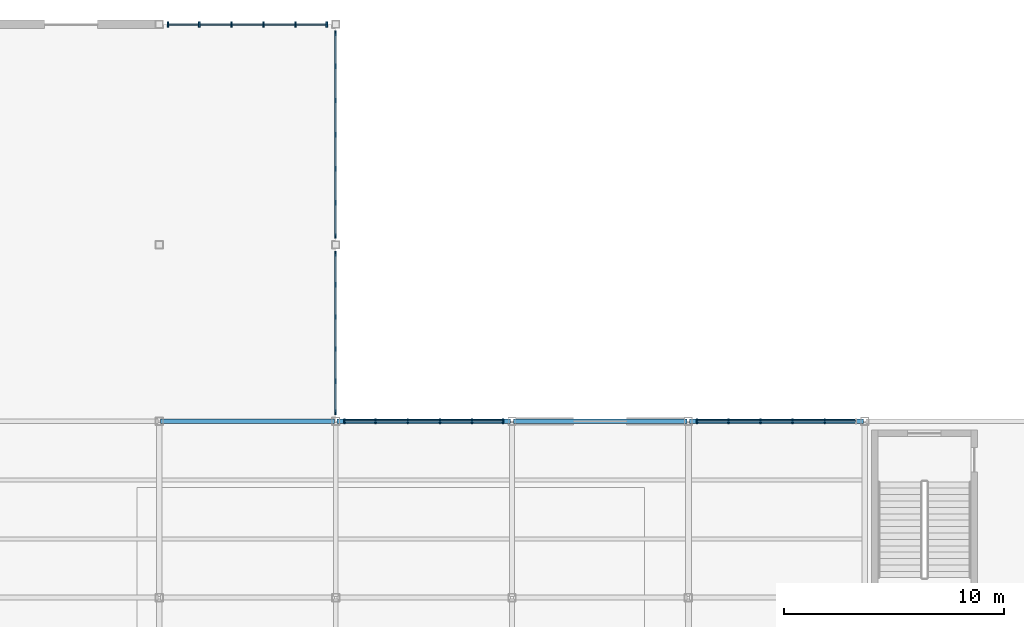
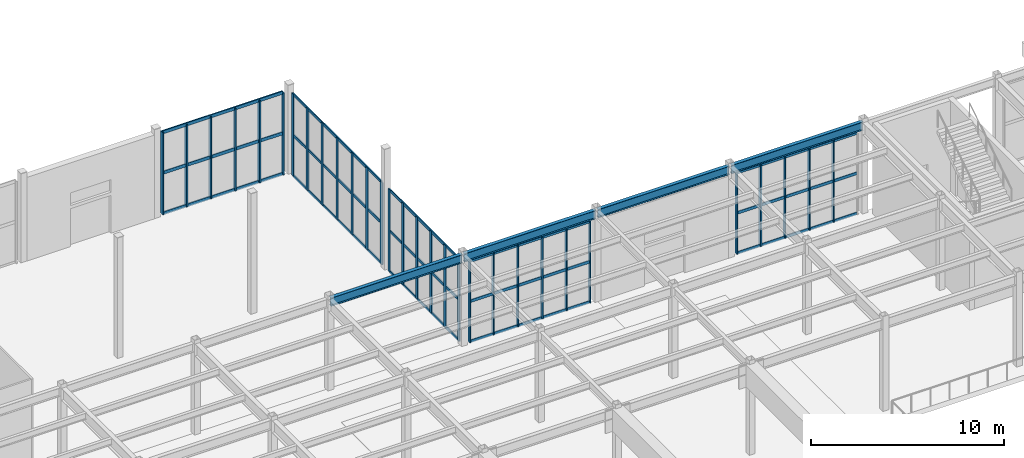
# One storey, part 41 of 82: 45 members, 4 beams, 5 elements without a shape of their own.
"""IFC4 building model written with IfcOpenShell, lengths in metres."""

from ifc_helpers import new_model, si_unit, direction, frame, origin, origin_2d, place, context, subcontext, project, spatial, rectangle, i_section, extrude, material, material_profile, profile_set, type_object, element, aggregate, save


model = new_model("IFC4")

# Units and contexts
model_context = context("Model", 3, precision=1e-05, world=origin(), true_north=direction((0.0, 1.0)))
body_context = subcontext(model_context, "Body", "Model", "MODEL_VIEW")
ifc_project = project(units=[si_unit("LENGTHUNIT", "METRE"), si_unit("AREAUNIT", "SQUARE_METRE"), si_unit("VOLUMEUNIT", "CUBIC_METRE"), si_unit("PLANEANGLEUNIT", "RADIAN"), si_unit("MASSUNIT", "GRAM", prefix="KILO")], contexts=[model_context])

# Site, building, storey
site_placement = place(None, origin())
site = spatial("IfcSite", under=ifc_project, at=site_placement, CompositionType="ELEMENT")
building_placement = place(site_placement, origin())
building = spatial("IfcBuilding", under=site, at=building_placement, Name="Drelvath Fold Interchange", CompositionType="ELEMENT")
storey_placement = place(building_placement, origin())
storey = spatial("IfcBuildingStorey", under=building, at=storey_placement, Name="L00", CompositionType="ELEMENT", Elevation=0.0)

# Beams
ifc_material_1 = material(Name="Steel ASTM A992 Grade 50", Category="steel")
ifc_material_profile_1 = material_profile(ifc_material_1, i_section(OverallWidth=0.2099609375, OverallDepth=0.537109375, WebThickness=0.010986328125, FlangeThickness=0.017333984375, at=origin_2d()), Name="W21X68")
ifc_profile_set_1 = profile_set([ifc_material_profile_1], Name="Steel ASTM A992 Grade 50")
beam_type = type_object("IfcBeamType", Name="BM-W21X68", PredefinedType="SPANDREL", material=ifc_profile_set_1)
for number, where, z_axis, x_axis, name in (
    (1, (36.06005859375, 99.0, 5.490966796875), (1.0, 0.0, 0.0), (0.0, 1.0, 0.0), "L00 Primary X girder BM-W21X68"),
    (2, (44.06005859375, 99.0, 5.490966796875), (1.0, 0.0, 0.0), (0.0, 1.0, 0.0), "L00 Primary X girder BM-W21X68"),
    (3, (52.06005859375, 99.0, 5.490966796875), (1.0, 0.0, 0.0), (0.0, 1.0, 0.0), "L00 Primary X girder BM-W21X68"),
    (4, (60.06005859375, 99.0, 5.490966796875), (1.0, 0.0, 0.0), (0.0, 1.0, 0.0), "L00 Primary X girder BM-W21X68"),
):
    element("IfcBeam", number, at=place(storey_placement, frame(where, z_axis=z_axis, x_axis=x_axis)), inside=storey, type_object=beam_type, Name=name, PredefinedType="SPANDREL", context=body_context, shape_type="SweptSolid", body=[
        extrude(i_section(OverallWidth=0.2099609375, OverallDepth=0.537109375, WebThickness=0.010986328125, FlangeThickness=0.017333984375, at=origin_2d()), origin(), (0.0, 0.0, 1.0), 7.8798828125),
    ])

# Curtain wall, members
ifc_material_2 = material(Name="Anodized Aluminium 6063-T6", Category="aluminium")
curtain_wall_type_1 = type_object("IfcCurtainWallType", Name="CW-CON-600", PredefinedType="USERDEFINED", material=ifc_material_2)
curtain_wall_1_placement = place(storey_placement, origin())
curtain_wall_1 = element("IfcCurtainWall", 5, at=curtain_wall_1_placement, inside=storey, type_object=curtain_wall_type_1, Name="Curtain wall CW-V1NE-L00-0", ObjectType="UNITISED CURTAIN WALL", PredefinedType="USERDEFINED")
ifc_material_profile_2 = material_profile(ifc_material_2, rectangle(XDim=0.06494140625, YDim=0.219970703125, at=origin_2d()), Name="AL-M 65x220")
ifc_profile_set_2 = profile_set([ifc_material_profile_2], Name="Anodized Aluminium 6063-T6")
member_type_1 = type_object("IfcMemberType", Name="ML-220", PredefinedType="MULLION", material=ifc_profile_set_2)
member_1_placement = place(storey_placement, frame((44.0, 99.39990234375, 0.0), z_axis=(0.0, 0.0, 1.0), x_axis=(1.0, 0.0, 0.0)))
member_1 = element("IfcMember", 6, at=member_1_placement, type_object=member_type_1, Name="CW-V1NE-L00-0 mullion 0", PredefinedType="MULLION", context=body_context, shape_type="SweptSolid", body=[
    extrude(rectangle(XDim=0.06494140625, YDim=0.219970703125, at=origin_2d()), origin(), (0.0, 0.0, 1.0), 5.199951171875),
])
member_2_placement = place(storey_placement, frame((44.0, 100.81591796875, 0.0), z_axis=(0.0, 0.0, 1.0), x_axis=(1.0, 0.0, 0.0)))
member_2 = element("IfcMember", 7, at=member_2_placement, type_object=member_type_1, Name="CW-V1NE-L00-0 mullion 1", PredefinedType="MULLION", context=body_context, shape_type="SweptSolid", body=[
    extrude(rectangle(XDim=0.06494140625, YDim=0.219970703125, at=origin_2d()), origin(), (0.0, 0.0, 1.0), 5.199951171875),
])
member_3_placement = place(storey_placement, frame((44.0, 102.27197265625, 0.0), z_axis=(0.0, 0.0, 1.0), x_axis=(1.0, 0.0, 0.0)))
member_3 = element("IfcMember", 8, at=member_3_placement, type_object=member_type_1, Name="CW-V1NE-L00-0 mullion 2", PredefinedType="MULLION", context=body_context, shape_type="SweptSolid", body=[
    extrude(rectangle(XDim=0.06494140625, YDim=0.219970703125, at=origin_2d()), origin(), (0.0, 0.0, 1.0), 5.199951171875),
])
member_4_placement = place(storey_placement, frame((44.0, 103.72802734375, 0.0), z_axis=(0.0, 0.0, 1.0), x_axis=(1.0, 0.0, 0.0)))
member_4 = element("IfcMember", 9, at=member_4_placement, type_object=member_type_1, Name="CW-V1NE-L00-0 mullion 3", PredefinedType="MULLION", context=body_context, shape_type="SweptSolid", body=[
    extrude(rectangle(XDim=0.06494140625, YDim=0.219970703125, at=origin_2d()), origin(), (0.0, 0.0, 1.0), 5.199951171875),
])
member_5_placement = place(storey_placement, frame((44.0, 105.18408203125, 0.0), z_axis=(0.0, 0.0, 1.0), x_axis=(1.0, 0.0, 0.0)))
member_5 = element("IfcMember", 10, at=member_5_placement, type_object=member_type_1, Name="CW-V1NE-L00-0 mullion 4", PredefinedType="MULLION", context=body_context, shape_type="SweptSolid", body=[
    extrude(rectangle(XDim=0.06494140625, YDim=0.219970703125, at=origin_2d()), origin(), (0.0, 0.0, 1.0), 5.199951171875),
])
member_6_placement = place(storey_placement, frame((44.0, 106.60009765625, 0.0), z_axis=(0.0, 0.0, 1.0), x_axis=(1.0, 0.0, 0.0)))
member_6 = element("IfcMember", 11, at=member_6_placement, type_object=member_type_1, Name="CW-V1NE-L00-0 mullion 5", PredefinedType="MULLION", context=body_context, shape_type="SweptSolid", body=[
    extrude(rectangle(XDim=0.06494140625, YDim=0.219970703125, at=origin_2d()), origin(), (0.0, 0.0, 1.0), 5.199951171875),
])

curtain_wall_type_2 = type_object("IfcCurtainWallType", Name="CW-CON-N10", PredefinedType="USERDEFINED", material=ifc_material_2)
curtain_wall_2_placement = place(storey_placement, origin())
curtain_wall_2 = element("IfcCurtainWall", 12, at=curtain_wall_2_placement, inside=storey, type_object=curtain_wall_type_2, Name="Curtain wall CW-V1NE-L00-1", ObjectType="UNITISED CURTAIN WALL", PredefinedType="USERDEFINED")
member_7_placement = place(storey_placement, frame((44.0, 107.39990234375, 0.0), z_axis=(0.0, 0.0, 1.0), x_axis=(1.0, 0.0, 0.0)))
member_7 = element("IfcMember", 13, at=member_7_placement, type_object=member_type_1, Name="CW-V1NE-L00-1 mullion 0", PredefinedType="MULLION", context=body_context, shape_type="SweptSolid", body=[
    extrude(rectangle(XDim=0.06494140625, YDim=0.219970703125, at=origin_2d()), origin(), (0.0, 0.0, 1.0), 5.199951171875),
])
member_8_placement = place(storey_placement, frame((44.0, 108.906982421875, 0.0), z_axis=(0.0, 0.0, 1.0), x_axis=(1.0, 0.0, 0.0)))
member_8 = element("IfcMember", 14, at=member_8_placement, type_object=member_type_1, Name="CW-V1NE-L00-1 mullion 1", PredefinedType="MULLION", context=body_context, shape_type="SweptSolid", body=[
    extrude(rectangle(XDim=0.06494140625, YDim=0.219970703125, at=origin_2d()), origin(), (0.0, 0.0, 1.0), 5.199951171875),
])
member_9_placement = place(storey_placement, frame((44.0, 110.452880859375, 0.0), z_axis=(0.0, 0.0, 1.0), x_axis=(1.0, 0.0, 0.0)))
member_9 = element("IfcMember", 15, at=member_9_placement, type_object=member_type_1, Name="CW-V1NE-L00-1 mullion 2", PredefinedType="MULLION", context=body_context, shape_type="SweptSolid", body=[
    extrude(rectangle(XDim=0.06494140625, YDim=0.219970703125, at=origin_2d()), origin(), (0.0, 0.0, 1.0), 5.199951171875),
])
member_10_placement = place(storey_placement, frame((44.0, 112.0, 0.0), z_axis=(0.0, 0.0, 1.0), x_axis=(1.0, 0.0, 0.0)))
member_10 = element("IfcMember", 16, at=member_10_placement, type_object=member_type_1, Name="CW-V1NE-L00-1 mullion 3", PredefinedType="MULLION", context=body_context, shape_type="SweptSolid", body=[
    extrude(rectangle(XDim=0.06494140625, YDim=0.219970703125, at=origin_2d()), origin(), (0.0, 0.0, 1.0), 5.199951171875),
])
member_11_placement = place(storey_placement, frame((44.0, 113.547119140625, 0.0), z_axis=(0.0, 0.0, 1.0), x_axis=(1.0, 0.0, 0.0)))
member_11 = element("IfcMember", 17, at=member_11_placement, type_object=member_type_1, Name="CW-V1NE-L00-1 mullion 4", PredefinedType="MULLION", context=body_context, shape_type="SweptSolid", body=[
    extrude(rectangle(XDim=0.06494140625, YDim=0.219970703125, at=origin_2d()), origin(), (0.0, 0.0, 1.0), 5.199951171875),
])
member_12_placement = place(storey_placement, frame((44.0, 115.093017578125, 0.0), z_axis=(0.0, 0.0, 1.0), x_axis=(1.0, 0.0, 0.0)))
member_12 = element("IfcMember", 18, at=member_12_placement, type_object=member_type_1, Name="CW-V1NE-L00-1 mullion 5", PredefinedType="MULLION", context=body_context, shape_type="SweptSolid", body=[
    extrude(rectangle(XDim=0.06494140625, YDim=0.219970703125, at=origin_2d()), origin(), (0.0, 0.0, 1.0), 5.199951171875),
])
member_13_placement = place(storey_placement, frame((44.0, 116.60009765625, 0.0), z_axis=(0.0, 0.0, 1.0), x_axis=(1.0, 0.0, 0.0)))
member_13 = element("IfcMember", 19, at=member_13_placement, type_object=member_type_1, Name="CW-V1NE-L00-1 mullion 6", PredefinedType="MULLION", context=body_context, shape_type="SweptSolid", body=[
    extrude(rectangle(XDim=0.06494140625, YDim=0.219970703125, at=origin_2d()), origin(), (0.0, 0.0, 1.0), 5.199951171875),
])

curtain_wall_3_placement = place(storey_placement, origin())
curtain_wall_3 = element("IfcCurtainWall", 20, at=curtain_wall_3_placement, inside=storey, type_object=curtain_wall_type_1, Name="Curtain wall CW-V1-L00-N44", ObjectType="UNITISED CURTAIN WALL", PredefinedType="USERDEFINED")
member_14_placement = place(storey_placement, frame((44.39990234375, 99.0, 0.0), z_axis=(0.0, 0.0, 1.0), x_axis=(1.0, 0.0, 0.0)))
member_14 = element("IfcMember", 21, at=member_14_placement, type_object=member_type_1, Name="CW-V1-L00-N44 mullion 0", PredefinedType="MULLION", context=body_context, shape_type="SweptSolid", body=[
    extrude(rectangle(XDim=0.06494140625, YDim=0.219970703125, at=origin_2d()), origin(), (0.0, 0.0, 1.0), 5.14990234375),
])
member_15_placement = place(storey_placement, frame((45.81591796875, 99.0, 0.0), z_axis=(0.0, 0.0, 1.0), x_axis=(1.0, 0.0, 0.0)))
member_15 = element("IfcMember", 22, at=member_15_placement, type_object=member_type_1, Name="CW-V1-L00-N44 mullion 1", PredefinedType="MULLION", context=body_context, shape_type="SweptSolid", body=[
    extrude(rectangle(XDim=0.06494140625, YDim=0.219970703125, at=origin_2d()), origin(), (0.0, 0.0, 1.0), 5.14990234375),
])
member_16_placement = place(storey_placement, frame((47.27197265625, 99.0, 0.0), z_axis=(0.0, 0.0, 1.0), x_axis=(1.0, 0.0, 0.0)))
member_16 = element("IfcMember", 23, at=member_16_placement, type_object=member_type_1, Name="CW-V1-L00-N44 mullion 2", PredefinedType="MULLION", context=body_context, shape_type="SweptSolid", body=[
    extrude(rectangle(XDim=0.06494140625, YDim=0.219970703125, at=origin_2d()), origin(), (0.0, 0.0, 1.0), 5.14990234375),
])
member_17_placement = place(storey_placement, frame((48.72802734375, 99.0, 0.0), z_axis=(0.0, 0.0, 1.0), x_axis=(1.0, 0.0, 0.0)))
member_17 = element("IfcMember", 24, at=member_17_placement, type_object=member_type_1, Name="CW-V1-L00-N44 mullion 3", PredefinedType="MULLION", context=body_context, shape_type="SweptSolid", body=[
    extrude(rectangle(XDim=0.06494140625, YDim=0.219970703125, at=origin_2d()), origin(), (0.0, 0.0, 1.0), 5.14990234375),
])
member_18_placement = place(storey_placement, frame((50.18408203125, 99.0, 0.0), z_axis=(0.0, 0.0, 1.0), x_axis=(1.0, 0.0, 0.0)))
member_18 = element("IfcMember", 25, at=member_18_placement, type_object=member_type_1, Name="CW-V1-L00-N44 mullion 4", PredefinedType="MULLION", context=body_context, shape_type="SweptSolid", body=[
    extrude(rectangle(XDim=0.06494140625, YDim=0.219970703125, at=origin_2d()), origin(), (0.0, 0.0, 1.0), 5.14990234375),
])
member_19_placement = place(storey_placement, frame((51.60009765625, 99.0, 0.0), z_axis=(0.0, 0.0, 1.0), x_axis=(1.0, 0.0, 0.0)))
member_19 = element("IfcMember", 26, at=member_19_placement, type_object=member_type_1, Name="CW-V1-L00-N44 mullion 5", PredefinedType="MULLION", context=body_context, shape_type="SweptSolid", body=[
    extrude(rectangle(XDim=0.06494140625, YDim=0.219970703125, at=origin_2d()), origin(), (0.0, 0.0, 1.0), 5.14990234375),
])

curtain_wall_4_placement = place(storey_placement, origin())
curtain_wall_4 = element("IfcCurtainWall", 27, at=curtain_wall_4_placement, inside=storey, type_object=curtain_wall_type_1, Name="Curtain wall CW-V1-L00-N60", ObjectType="UNITISED CURTAIN WALL", PredefinedType="USERDEFINED")
member_20_placement = place(storey_placement, frame((60.39990234375, 99.0, 0.0), z_axis=(0.0, 0.0, 1.0), x_axis=(1.0, 0.0, 0.0)))
member_20 = element("IfcMember", 28, at=member_20_placement, type_object=member_type_1, Name="CW-V1-L00-N60 mullion 0", PredefinedType="MULLION", context=body_context, shape_type="SweptSolid", body=[
    extrude(rectangle(XDim=0.06494140625, YDim=0.219970703125, at=origin_2d()), origin(), (0.0, 0.0, 1.0), 5.14990234375),
])
member_21_placement = place(storey_placement, frame((61.81591796875, 99.0, 0.0), z_axis=(0.0, 0.0, 1.0), x_axis=(1.0, 0.0, 0.0)))
member_21 = element("IfcMember", 29, at=member_21_placement, type_object=member_type_1, Name="CW-V1-L00-N60 mullion 1", PredefinedType="MULLION", context=body_context, shape_type="SweptSolid", body=[
    extrude(rectangle(XDim=0.06494140625, YDim=0.219970703125, at=origin_2d()), origin(), (0.0, 0.0, 1.0), 5.14990234375),
])
member_22_placement = place(storey_placement, frame((63.27197265625, 99.0, 0.0), z_axis=(0.0, 0.0, 1.0), x_axis=(1.0, 0.0, 0.0)))
member_22 = element("IfcMember", 30, at=member_22_placement, type_object=member_type_1, Name="CW-V1-L00-N60 mullion 2", PredefinedType="MULLION", context=body_context, shape_type="SweptSolid", body=[
    extrude(rectangle(XDim=0.06494140625, YDim=0.219970703125, at=origin_2d()), origin(), (0.0, 0.0, 1.0), 5.14990234375),
])
member_23_placement = place(storey_placement, frame((64.72802734375, 99.0, 0.0), z_axis=(0.0, 0.0, 1.0), x_axis=(1.0, 0.0, 0.0)))
member_23 = element("IfcMember", 31, at=member_23_placement, type_object=member_type_1, Name="CW-V1-L00-N60 mullion 3", PredefinedType="MULLION", context=body_context, shape_type="SweptSolid", body=[
    extrude(rectangle(XDim=0.06494140625, YDim=0.219970703125, at=origin_2d()), origin(), (0.0, 0.0, 1.0), 5.14990234375),
])
member_24_placement = place(storey_placement, frame((66.18408203125, 99.0, 0.0), z_axis=(0.0, 0.0, 1.0), x_axis=(1.0, 0.0, 0.0)))
member_24 = element("IfcMember", 32, at=member_24_placement, type_object=member_type_1, Name="CW-V1-L00-N60 mullion 4", PredefinedType="MULLION", context=body_context, shape_type="SweptSolid", body=[
    extrude(rectangle(XDim=0.06494140625, YDim=0.219970703125, at=origin_2d()), origin(), (0.0, 0.0, 1.0), 5.14990234375),
])

curtain_wall_5_placement = place(storey_placement, origin())
curtain_wall_5 = element("IfcCurtainWall", 33, at=curtain_wall_5_placement, inside=storey, type_object=curtain_wall_type_1, Name="Curtain wall CW-V1N-L00-04", ObjectType="UNITISED CURTAIN WALL", PredefinedType="USERDEFINED")
ifc_material_profile_3 = material_profile(ifc_material_2, rectangle(XDim=0.074951171875, YDim=0.25, at=origin_2d()), Name="AL-M 75x250")
ifc_profile_set_3 = profile_set([ifc_material_profile_3], Name="Anodized Aluminium 6063-T6")
member_type_2 = type_object("IfcMemberType", Name="ML-250", PredefinedType="MULLION", material=ifc_profile_set_3)
member_25_placement = place(storey_placement, frame((36.39990234375, 117.0, 0.0), z_axis=(0.0, 0.0, 1.0), x_axis=(1.0, 0.0, 0.0)))
member_25 = element("IfcMember", 34, at=member_25_placement, type_object=member_type_2, Name="CW-V1N-L00-04 mullion 0", PredefinedType="MULLION", context=body_context, shape_type="SweptSolid", body=[
    extrude(rectangle(XDim=0.074951171875, YDim=0.25, at=origin_2d()), origin(), (0.0, 0.0, 1.0), 5.199951171875),
])
member_26_placement = place(storey_placement, frame((37.81591796875, 117.0, 0.0), z_axis=(0.0, 0.0, 1.0), x_axis=(1.0, 0.0, 0.0)))
member_26 = element("IfcMember", 35, at=member_26_placement, type_object=member_type_2, Name="CW-V1N-L00-04 mullion 1", PredefinedType="MULLION", context=body_context, shape_type="SweptSolid", body=[
    extrude(rectangle(XDim=0.074951171875, YDim=0.25, at=origin_2d()), origin(), (0.0, 0.0, 1.0), 5.199951171875),
])
member_27_placement = place(storey_placement, frame((39.27197265625, 117.0, 0.0), z_axis=(0.0, 0.0, 1.0), x_axis=(1.0, 0.0, 0.0)))
member_27 = element("IfcMember", 36, at=member_27_placement, type_object=member_type_2, Name="CW-V1N-L00-04 mullion 2", PredefinedType="MULLION", context=body_context, shape_type="SweptSolid", body=[
    extrude(rectangle(XDim=0.074951171875, YDim=0.25, at=origin_2d()), origin(), (0.0, 0.0, 1.0), 5.199951171875),
])
member_28_placement = place(storey_placement, frame((40.72802734375, 117.0, 0.0), z_axis=(0.0, 0.0, 1.0), x_axis=(1.0, 0.0, 0.0)))
member_28 = element("IfcMember", 37, at=member_28_placement, type_object=member_type_2, Name="CW-V1N-L00-04 mullion 3", PredefinedType="MULLION", context=body_context, shape_type="SweptSolid", body=[
    extrude(rectangle(XDim=0.074951171875, YDim=0.25, at=origin_2d()), origin(), (0.0, 0.0, 1.0), 5.199951171875),
])
member_29_placement = place(storey_placement, frame((42.18408203125, 117.0, 0.0), z_axis=(0.0, 0.0, 1.0), x_axis=(1.0, 0.0, 0.0)))
member_29 = element("IfcMember", 38, at=member_29_placement, type_object=member_type_2, Name="CW-V1N-L00-04 mullion 4", PredefinedType="MULLION", context=body_context, shape_type="SweptSolid", body=[
    extrude(rectangle(XDim=0.074951171875, YDim=0.25, at=origin_2d()), origin(), (0.0, 0.0, 1.0), 5.199951171875),
])
member_30_placement = place(storey_placement, frame((43.60009765625, 117.0, 0.0), z_axis=(0.0, 0.0, 1.0), x_axis=(1.0, 0.0, 0.0)))
member_30 = element("IfcMember", 39, at=member_30_placement, type_object=member_type_2, Name="CW-V1N-L00-04 mullion 5", PredefinedType="MULLION", context=body_context, shape_type="SweptSolid", body=[
    extrude(rectangle(XDim=0.074951171875, YDim=0.25, at=origin_2d()), origin(), (0.0, 0.0, 1.0), 5.199951171875),
])

# Member
ifc_material_profile_4 = material_profile(ifc_material_2, rectangle(XDim=0.06494140625, YDim=0.179931640625, at=origin_2d()), Name="AL-T 65x180")
ifc_profile_set_4 = profile_set([ifc_material_profile_4], Name="Anodized Aluminium 6063-T6")
member_type_3 = type_object("IfcMemberType", Name="TR-180", PredefinedType="USERDEFINED", material=ifc_profile_set_4)
member_31_placement = place(storey_placement, frame((44.0, 99.39990234375, 0.030029296875), z_axis=(0.0, 1.0, 0.0), x_axis=(-1.0, 0.0, 0.0)))
member_31 = element("IfcMember", 40, at=member_31_placement, type_object=member_type_3, Name="CW-V1NE-L00-0 transom 0", ObjectType="TRANSOM", PredefinedType="USERDEFINED", context=body_context, shape_type="SweptSolid", body=[
    extrude(rectangle(XDim=0.06494140625, YDim=0.179931640625, at=origin_2d()), origin(), (0.0, 0.0, 1.0), 7.2001953125),
])

member_32_placement = place(storey_placement, frame((44.0, 99.39990234375, 2.60009765625), z_axis=(0.0, 1.0, 0.0), x_axis=(-1.0, 0.0, 0.0)))
member_32 = element("IfcMember", 41, at=member_32_placement, type_object=member_type_3, Name="CW-V1NE-L00-0 transom 1", ObjectType="TRANSOM", PredefinedType="USERDEFINED", context=body_context, shape_type="SweptSolid", body=[
    extrude(rectangle(XDim=0.06494140625, YDim=0.179931640625, at=origin_2d()), origin(), (0.0, 0.0, 1.0), 7.2001953125),
])

member_33_placement = place(storey_placement, frame((44.0, 99.39990234375, 5.169921875), z_axis=(0.0, 1.0, 0.0), x_axis=(-1.0, 0.0, 0.0)))
member_33 = element("IfcMember", 42, at=member_33_placement, type_object=member_type_3, Name="CW-V1NE-L00-0 transom 2", ObjectType="TRANSOM", PredefinedType="USERDEFINED", context=body_context, shape_type="SweptSolid", body=[
    extrude(rectangle(XDim=0.06494140625, YDim=0.179931640625, at=origin_2d()), origin(), (0.0, 0.0, 1.0), 7.2001953125),
])

aggregate(curtain_wall_1, [member_1, member_2, member_3, member_4, member_5, member_6, member_31, member_32, member_33])

member_34_placement = place(storey_placement, frame((44.0, 107.39990234375, 0.030029296875), z_axis=(0.0, 1.0, 0.0), x_axis=(-1.0, 0.0, 0.0)))
member_34 = element("IfcMember", 43, at=member_34_placement, type_object=member_type_3, Name="CW-V1NE-L00-1 transom 0", ObjectType="TRANSOM", PredefinedType="USERDEFINED", context=body_context, shape_type="SweptSolid", body=[
    extrude(rectangle(XDim=0.06494140625, YDim=0.179931640625, at=origin_2d()), origin(), (0.0, 0.0, 1.0), 9.2001953125),
])

member_35_placement = place(storey_placement, frame((44.0, 107.39990234375, 2.60009765625), z_axis=(0.0, 1.0, 0.0), x_axis=(-1.0, 0.0, 0.0)))
member_35 = element("IfcMember", 44, at=member_35_placement, type_object=member_type_3, Name="CW-V1NE-L00-1 transom 1", ObjectType="TRANSOM", PredefinedType="USERDEFINED", context=body_context, shape_type="SweptSolid", body=[
    extrude(rectangle(XDim=0.06494140625, YDim=0.179931640625, at=origin_2d()), origin(), (0.0, 0.0, 1.0), 9.2001953125),
])

member_36_placement = place(storey_placement, frame((44.0, 107.39990234375, 5.169921875), z_axis=(0.0, 1.0, 0.0), x_axis=(-1.0, 0.0, 0.0)))
member_36 = element("IfcMember", 45, at=member_36_placement, type_object=member_type_3, Name="CW-V1NE-L00-1 transom 2", ObjectType="TRANSOM", PredefinedType="USERDEFINED", context=body_context, shape_type="SweptSolid", body=[
    extrude(rectangle(XDim=0.06494140625, YDim=0.179931640625, at=origin_2d()), origin(), (0.0, 0.0, 1.0), 9.2001953125),
])

aggregate(curtain_wall_2, [member_7, member_8, member_9, member_10, member_11, member_12, member_13, member_34, member_35, member_36])

member_37_placement = place(storey_placement, frame((44.39990234375, 99.0, 0.030029296875), z_axis=(1.0, 0.0, 0.0), x_axis=(0.0, 1.0, 0.0)))
member_37 = element("IfcMember", 46, at=member_37_placement, type_object=member_type_3, Name="CW-V1-L00-N44 transom 0", ObjectType="TRANSOM", PredefinedType="USERDEFINED", context=body_context, shape_type="SweptSolid", body=[
    extrude(rectangle(XDim=0.06494140625, YDim=0.179931640625, at=origin_2d()), origin(), (0.0, 0.0, 1.0), 7.2001953125),
])

member_38_placement = place(storey_placement, frame((44.39990234375, 99.0, 2.574951171875), z_axis=(1.0, 0.0, 0.0), x_axis=(0.0, 1.0, 0.0)))
member_38 = element("IfcMember", 47, at=member_38_placement, type_object=member_type_3, Name="CW-V1-L00-N44 transom 1", ObjectType="TRANSOM", PredefinedType="USERDEFINED", context=body_context, shape_type="SweptSolid", body=[
    extrude(rectangle(XDim=0.06494140625, YDim=0.179931640625, at=origin_2d()), origin(), (0.0, 0.0, 1.0), 7.2001953125),
])

member_39_placement = place(storey_placement, frame((44.39990234375, 99.0, 5.1201171875), z_axis=(1.0, 0.0, 0.0), x_axis=(0.0, 1.0, 0.0)))
member_39 = element("IfcMember", 48, at=member_39_placement, type_object=member_type_3, Name="CW-V1-L00-N44 transom 2", ObjectType="TRANSOM", PredefinedType="USERDEFINED", context=body_context, shape_type="SweptSolid", body=[
    extrude(rectangle(XDim=0.06494140625, YDim=0.179931640625, at=origin_2d()), origin(), (0.0, 0.0, 1.0), 7.2001953125),
])

aggregate(curtain_wall_3, [member_14, member_15, member_16, member_17, member_18, member_19, member_37, member_38, member_39])

member_40_placement = place(storey_placement, frame((60.39990234375, 99.0, 0.030029296875), z_axis=(1.0, 0.0, 0.0), x_axis=(0.0, 1.0, 0.0)))
member_40 = element("IfcMember", 49, at=member_40_placement, type_object=member_type_3, Name="CW-V1-L00-N60 transom 0", ObjectType="TRANSOM", PredefinedType="USERDEFINED", context=body_context, shape_type="SweptSolid", body=[
    extrude(rectangle(XDim=0.06494140625, YDim=0.179931640625, at=origin_2d()), origin(), (0.0, 0.0, 1.0), 7.2001953125),
])

member_41_placement = place(storey_placement, frame((60.39990234375, 99.0, 2.574951171875), z_axis=(1.0, 0.0, 0.0), x_axis=(0.0, 1.0, 0.0)))
member_41 = element("IfcMember", 50, at=member_41_placement, type_object=member_type_3, Name="CW-V1-L00-N60 transom 1", ObjectType="TRANSOM", PredefinedType="USERDEFINED", context=body_context, shape_type="SweptSolid", body=[
    extrude(rectangle(XDim=0.06494140625, YDim=0.179931640625, at=origin_2d()), origin(), (0.0, 0.0, 1.0), 7.2001953125),
])

member_42_placement = place(storey_placement, frame((60.39990234375, 99.0, 5.1201171875), z_axis=(1.0, 0.0, 0.0), x_axis=(0.0, 1.0, 0.0)))
member_42 = element("IfcMember", 51, at=member_42_placement, type_object=member_type_3, Name="CW-V1-L00-N60 transom 2", ObjectType="TRANSOM", PredefinedType="USERDEFINED", context=body_context, shape_type="SweptSolid", body=[
    extrude(rectangle(XDim=0.06494140625, YDim=0.179931640625, at=origin_2d()), origin(), (0.0, 0.0, 1.0), 7.2001953125),
])

aggregate(curtain_wall_4, [member_20, member_21, member_22, member_23, member_24, member_40, member_41, member_42])

ifc_material_profile_5 = material_profile(ifc_material_2, rectangle(XDim=0.074951171875, YDim=0.199951171875, at=origin_2d()), Name="AL-T 75x200")
ifc_profile_set_5 = profile_set([ifc_material_profile_5], Name="Anodized Aluminium 6063-T6")
member_type_4 = type_object("IfcMemberType", Name="TR-200", PredefinedType="USERDEFINED", material=ifc_profile_set_5)
member_43_placement = place(storey_placement, frame((36.39990234375, 117.0, 0.030029296875), z_axis=(1.0, 0.0, 0.0), x_axis=(0.0, 1.0, 0.0)))
member_43 = element("IfcMember", 52, at=member_43_placement, type_object=member_type_4, Name="CW-V1N-L00-04 transom 0", ObjectType="TRANSOM", PredefinedType="USERDEFINED", context=body_context, shape_type="SweptSolid", body=[
    extrude(rectangle(XDim=0.074951171875, YDim=0.199951171875, at=origin_2d()), origin(), (0.0, 0.0, 1.0), 7.2001953125),
])

member_44_placement = place(storey_placement, frame((36.39990234375, 117.0, 2.60009765625), z_axis=(1.0, 0.0, 0.0), x_axis=(0.0, 1.0, 0.0)))
member_44 = element("IfcMember", 53, at=member_44_placement, type_object=member_type_4, Name="CW-V1N-L00-04 transom 1", ObjectType="TRANSOM", PredefinedType="USERDEFINED", context=body_context, shape_type="SweptSolid", body=[
    extrude(rectangle(XDim=0.074951171875, YDim=0.199951171875, at=origin_2d()), origin(), (0.0, 0.0, 1.0), 7.2001953125),
])

member_45_placement = place(storey_placement, frame((36.39990234375, 117.0, 5.169921875), z_axis=(1.0, 0.0, 0.0), x_axis=(0.0, 1.0, 0.0)))
member_45 = element("IfcMember", 54, at=member_45_placement, type_object=member_type_4, Name="CW-V1N-L00-04 transom 2", ObjectType="TRANSOM", PredefinedType="USERDEFINED", context=body_context, shape_type="SweptSolid", body=[
    extrude(rectangle(XDim=0.074951171875, YDim=0.199951171875, at=origin_2d()), origin(), (0.0, 0.0, 1.0), 7.2001953125),
])

aggregate(curtain_wall_5, [member_25, member_26, member_27, member_28, member_29, member_30, member_43, member_44, member_45])

save(model, "model.ifc")
